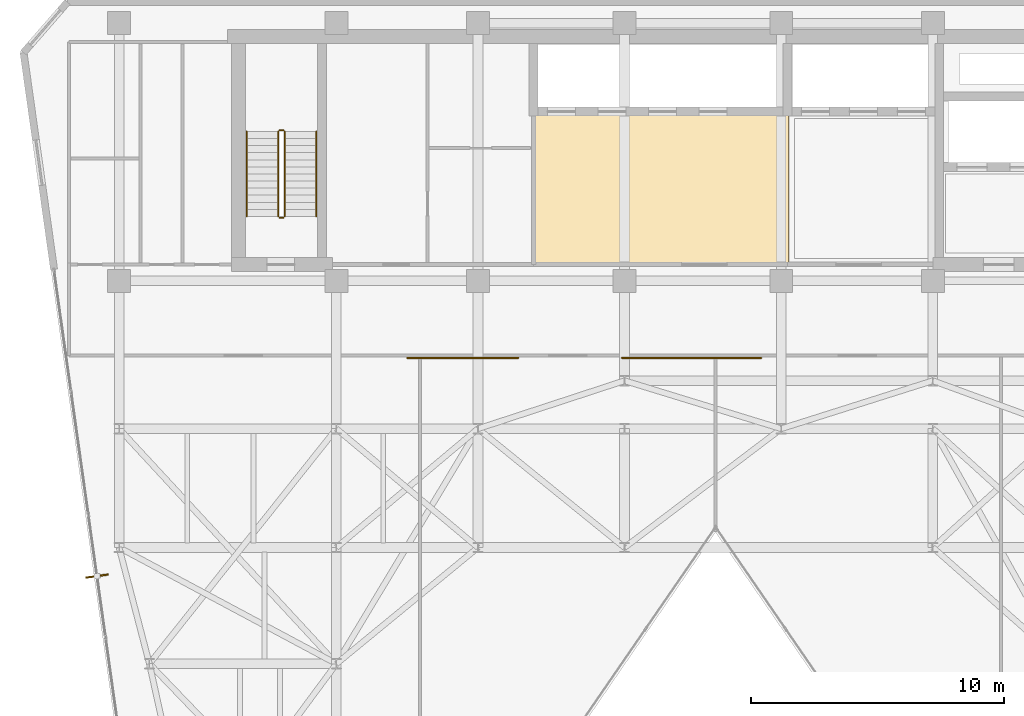
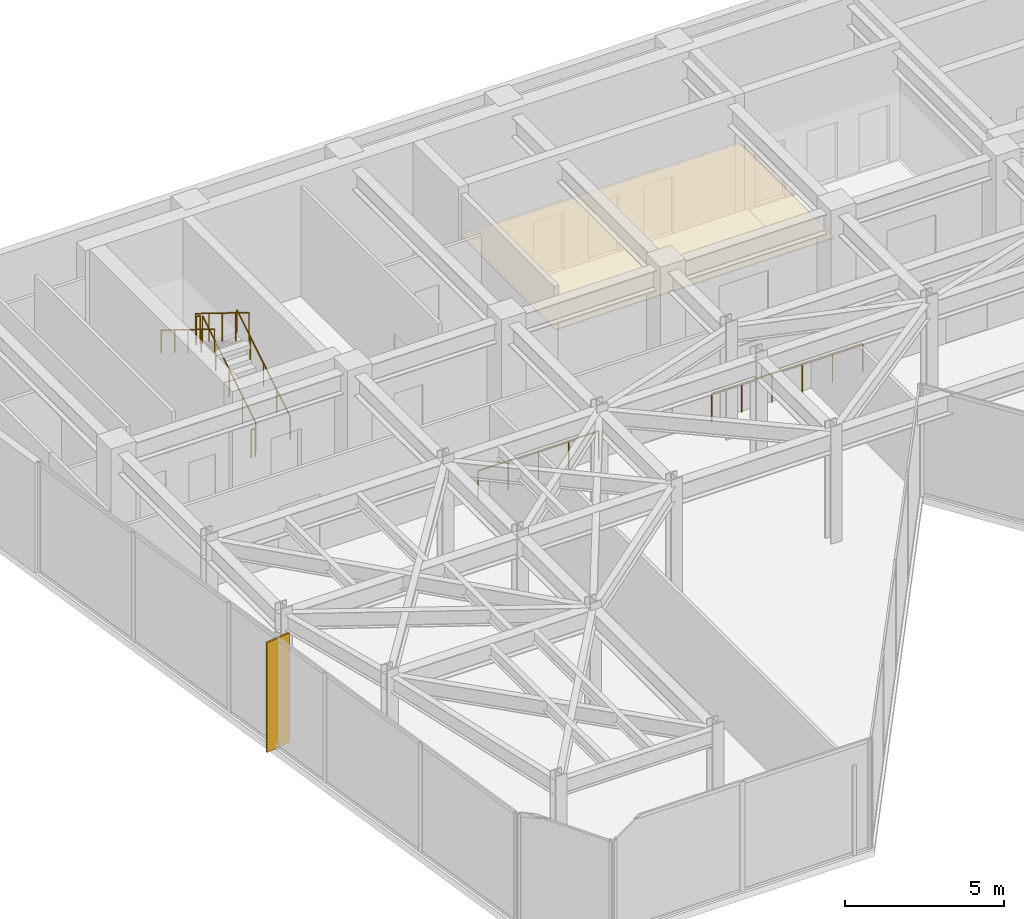
# One storey, part 24 of 25: 8 railings, 1 covering, 1 shading device.
"""IFC4 building model written with IfcOpenShell, lengths in metres."""

from ifc_helpers import new_model, si_unit, direction, frame, origin, origin_2d, place, context, subcontext, project, spatial, polyline, rectangle, circle, outline, extrude, material, layer, layer_set, type_object, element, save


model = new_model("IFC4")

# Units and contexts
model_context = context("Model", 3, precision=1e-05, world=origin(), true_north=direction((0.0, 1.0)))
body_context = subcontext(model_context, "Body", "Model", "MODEL_VIEW")
ifc_project = project(units=[si_unit("LENGTHUNIT", "METRE"), si_unit("AREAUNIT", "SQUARE_METRE"), si_unit("VOLUMEUNIT", "CUBIC_METRE"), si_unit("PLANEANGLEUNIT", "RADIAN"), si_unit("MASSUNIT", "GRAM", prefix="KILO")], contexts=[model_context])

# Site, building, storey
site_placement = place(None, origin())
site = spatial("IfcSite", under=ifc_project, at=site_placement, CompositionType="ELEMENT")
building_placement = place(site_placement, origin())
building = spatial("IfcBuilding", under=site, at=building_placement, Name="Kravanh Interchange Tower", CompositionType="ELEMENT")
storey_placement = place(building_placement, frame((0.0, 0.0, 220.5)))
storey = spatial("IfcBuildingStorey", under=building, at=storey_placement, Name="L53", CompositionType="ELEMENT", Elevation=220.5)

# Railings
ifc_material_1 = material(Name="Structural Steel S355", Category="steel")
ifc_layer_1 = layer(ifc_material_1, 0.06005859375)
ifc_layer_set_1 = layer_set([ifc_layer_1], Name="Atrium Void Glazed Balustrade Structural Steel S355 1120mm")
railing_type_1 = type_object("IfcRailingType", Name="Atrium Void Glazed Balustrade Structural Steel S355 1120mm", PredefinedType="BALUSTRADE", material=ifc_layer_set_1)
railing_1_placement = place(storey_placement, frame((30.0, 34.300048828125, 0.0)))
element("IfcRailing", 1, at=railing_1_placement, inside=storey, type_object=railing_type_1, Name="L53 Sky Lobby Gallery Balustrade 1", PredefinedType="BALUSTRADE", context=body_context, shape_type="SweptSolid", body=[
    extrude(circle(Radius=0.02392578125, at=origin_2d()), frame((0.0, 0.0, 1.09619140625), z_axis=(1.0, 0.0, 0.0), x_axis=(0.0, 1.0, 0.0)), (0.0, 0.0, 1.0), 4.39990234375),
    extrude(circle(Radius=0.02099609375, at=origin_2d()), origin(), (0.0, 0.0, 1.0), 1.072021484375),
    extrude(circle(Radius=0.02099609375, at=origin_2d()), frame((1.10009765625, 0.0, 0.0)), (0.0, 0.0, 1.0), 1.072021484375),
    extrude(circle(Radius=0.02099609375, at=origin_2d()), frame((2.199951171875, 0.0, 0.0)), (0.0, 0.0, 1.0), 1.072021484375),
    extrude(circle(Radius=0.02099609375, at=origin_2d()), frame((3.2998046875, 0.0, 0.0)), (0.0, 0.0, 1.0), 1.072021484375),
    extrude(circle(Radius=0.02099609375, at=origin_2d()), frame((4.39990234375, 0.0, 0.0)), (0.0, 0.0, 1.0), 1.072021484375),
])
railing_2_placement = place(storey_placement, frame((38.5, 34.300048828125, 0.0)))
element("IfcRailing", 2, at=railing_2_placement, inside=storey, type_object=railing_type_1, Name="L53 Sky Lobby Gallery Balustrade 2", PredefinedType="BALUSTRADE", context=body_context, shape_type="SweptSolid", body=[
    extrude(circle(Radius=0.02392578125, at=origin_2d()), frame((0.0, 0.0, 1.09619140625), z_axis=(1.0, 0.0, 0.0), x_axis=(0.0, 1.0, 0.0)), (0.0, 0.0, 1.0), 5.5),
    extrude(circle(Radius=0.02099609375, at=origin_2d()), origin(), (0.0, 0.0, 1.0), 1.072021484375),
    extrude(circle(Radius=0.02099609375, at=origin_2d()), frame((1.10009765625, 0.0, 0.0)), (0.0, 0.0, 1.0), 1.072021484375),
    extrude(circle(Radius=0.02099609375, at=origin_2d()), frame((2.199951171875, 0.0, 0.0)), (0.0, 0.0, 1.0), 1.072021484375),
    extrude(circle(Radius=0.02099609375, at=origin_2d()), frame((3.300048828125, 0.0, 0.0)), (0.0, 0.0, 1.0), 1.072021484375),
    extrude(circle(Radius=0.02099609375, at=origin_2d()), frame((4.39990234375, 0.0, 0.0)), (0.0, 0.0, 1.0), 1.072021484375),
    extrude(circle(Radius=0.02099609375, at=origin_2d()), frame((5.5, 0.0, 0.0)), (0.0, 0.0, 1.0), 1.072021484375),
])

# Covering
ifc_material_2 = material(Name="Anodised Bronze Aluminium Acoustic Baffle", Category="aluminium")
ifc_layer_2 = layer(ifc_material_2, 0.034912109375)
ifc_layer_set_2 = layer_set([ifc_layer_2], Name="Linear Bronze Baffle Feature Ceiling 35mm")
covering_type = type_object("IfcCoveringType", Name="Linear Bronze Baffle Feature Ceiling 35mm", PredefinedType="CEILING", material=ifc_layer_set_2)
covering_placement = place(storey_placement, frame((0.0, 0.0, 2.550048828125)))
element("IfcCovering", 3, at=covering_placement, inside=storey, type_object=covering_type, Name="L53 Mid-Rise Lift Lobby Suspended Ceiling", PredefinedType="CEILING", context=body_context, shape_type="SweptSolid", body=[
    extrude(outline(polyline([(45.090087890625, 37.9599609375), (34.93994140625, 37.9599609375), (34.93994140625, 43.989990234375), (45.090087890625, 43.989990234375), (45.090087890625, 37.9599609375)])), origin(), (0.0, 0.0, 1.0), 0.034912109375),
])

# Railings
ifc_material_3 = material(Name="Structural Steel S355", Category="steel")
ifc_layer_3 = layer(ifc_material_3, 0.050048828125)
ifc_layer_set_3 = layer_set([ifc_layer_3], Name="Stair Well Guardrail Structural Steel S355 1100mm")
railing_type_2 = type_object("IfcRailingType", Name="Stair Well Guardrail Structural Steel S355 1100mm", PredefinedType="GUARDRAIL", material=ifc_layer_set_3)
railing_3_placement = place(storey_placement, frame((25.14990234375, 39.89990234375, 0.173095703125)))
element("IfcRailing", 4, at=railing_3_placement, inside=storey, type_object=railing_type_2, Name="L53 ST3 stair guard 1", PredefinedType="GUARDRAIL", context=body_context, shape_type="SweptSolid", body=[
    extrude(circle(Radius=0.02392578125, at=origin_2d()), frame((0.0, 0.0, 1.076171875), z_axis=(0.0, 0.850623216509, 0.525775754039), x_axis=(-1.0, 0.0, 0.0)), (0.0, 0.0, 1.0), 3.9501953125),
    extrude(circle(Radius=0.02099609375, at=origin_2d()), origin(), (0.0, 0.0, 1.0), 1.052001953125),
    extrude(circle(Radius=0.02099609375, at=origin_2d()), frame((0.0, 0.840087890625, 0.519287109375)), (0.0, 0.0, 1.0), 1.052001953125),
    extrude(circle(Radius=0.02099609375, at=origin_2d()), frame((0.0, 1.68017578125, 1.03857421875)), (0.0, 0.0, 1.0), 1.052001953125),
    extrude(circle(Radius=0.02099609375, at=origin_2d()), frame((0.0, 2.52001953125, 1.5576171875)), (0.0, 0.0, 1.0), 1.052001953125),
    extrude(circle(Radius=0.02099609375, at=origin_2d()), frame((0.0, 3.360107421875, 2.076904296875)), (0.0, 0.0, 1.0), 1.052001953125),
])
railing_4_placement = place(storey_placement, frame((25.10009765625, 43.31005859375, 2.25)))
element("IfcRailing", 5, at=railing_4_placement, inside=storey, type_object=railing_type_2, Name="L53 ST3 stair guard 2", PredefinedType="GUARDRAIL", context=body_context, shape_type="SweptSolid", body=[
    extrude(circle(Radius=0.02392578125, at=origin_2d()), frame((0.0, 0.0, 1.076171875), z_axis=(-1.0, 0.0, 0.0), x_axis=(0.0, -1.0, 0.0)), (0.0, 0.0, 1.0), 0.150146484375),
    extrude(circle(Radius=0.02099609375, at=origin_2d()), origin(), (0.0, 0.0, 1.0), 1.052001953125),
    extrude(circle(Radius=0.02099609375, at=origin_2d()), frame((-0.150146484375, 0.0, 0.0)), (0.0, 0.0, 1.0), 1.052001953125),
])
railing_5_placement = place(storey_placement, frame((24.89990234375, 43.260009765625, 2.423095703125)))
element("IfcRailing", 6, at=railing_5_placement, inside=storey, type_object=railing_type_2, Name="L53 ST3 stair guard 3", PredefinedType="GUARDRAIL", context=body_context, shape_type="SweptSolid", body=[
    extrude(circle(Radius=0.02392578125, at=origin_2d()), frame((0.0, 0.0, 1.076171875), z_axis=(0.0, -0.850623216509, 0.525775754039), x_axis=(1.0, 0.0, 0.0)), (0.0, 0.0, 1.0), 3.9501953125),
    extrude(circle(Radius=0.02099609375, at=origin_2d()), origin(), (0.0, 0.0, 1.0), 1.052001953125),
    extrude(circle(Radius=0.02099609375, at=origin_2d()), frame((0.0, -0.840087890625, 0.519287109375)), (0.0, 0.0, 1.0), 1.052001953125),
    extrude(circle(Radius=0.02099609375, at=origin_2d()), frame((0.0, -1.68017578125, 1.03857421875)), (0.0, 0.0, 1.0), 1.052001953125),
    extrude(circle(Radius=0.02099609375, at=origin_2d()), frame((0.0, -2.52001953125, 1.5576171875)), (0.0, 0.0, 1.0), 1.052001953125),
    extrude(circle(Radius=0.02099609375, at=origin_2d()), frame((0.0, -3.360107421875, 2.076904296875)), (0.0, 0.0, 1.0), 1.052001953125),
])
railing_6_placement = place(storey_placement, frame((25.10009765625, 39.85009765625, 0.0)))
element("IfcRailing", 7, at=railing_6_placement, inside=storey, type_object=railing_type_2, Name="L53 ST3 stair guard 4", PredefinedType="GUARDRAIL", context=body_context, shape_type="SweptSolid", body=[
    extrude(circle(Radius=0.02392578125, at=origin_2d()), frame((0.0, 0.0, 1.076171875), z_axis=(-1.0, 0.0, 0.0), x_axis=(0.0, -1.0, 0.0)), (0.0, 0.0, 1.0), 0.150146484375),
    extrude(circle(Radius=0.02099609375, at=origin_2d()), origin(), (0.0, 0.0, 1.0), 1.052001953125),
    extrude(circle(Radius=0.02099609375, at=origin_2d()), frame((-0.150146484375, 0.0, 0.0)), (0.0, 0.0, 1.0), 1.052001953125),
])
ifc_material_4 = material(Name="Stainless Steel 304", Category="steel")
ifc_layer_4 = layer(ifc_material_4, 0.044921875)
ifc_layer_set_4 = layer_set([ifc_layer_4], Name="Tubular Stair Handrail Stainless 304 900mm")
railing_type_3 = type_object("IfcRailingType", Name="Tubular Stair Handrail Stainless 304 900mm", PredefinedType="HANDRAIL", material=ifc_layer_set_4)
railing_7_placement = place(storey_placement, frame((26.39990234375, 39.89990234375, 0.173095703125)))
element("IfcRailing", 8, at=railing_7_placement, inside=storey, type_object=railing_type_3, Name="L53 ST3 stair handrail 1", PredefinedType="HANDRAIL", context=body_context, shape_type="SweptSolid", body=[
    extrude(circle(Radius=0.02392578125, at=origin_2d()), frame((0.0, 0.0, 0.8759765625), z_axis=(0.0, 0.850623216509, 0.525775754039), x_axis=(-1.0, 0.0, 0.0)), (0.0, 0.0, 1.0), 3.9501953125),
    extrude(circle(Radius=0.02099609375, at=origin_2d()), origin(), (0.0, 0.0, 1.0), 0.851806640625),
    extrude(circle(Radius=0.02099609375, at=origin_2d()), frame((0.0, 0.840087890625, 0.519287109375)), (0.0, 0.0, 1.0), 0.851806640625),
    extrude(circle(Radius=0.02099609375, at=origin_2d()), frame((0.0, 1.68017578125, 1.03857421875)), (0.0, 0.0, 1.0), 0.851806640625),
    extrude(circle(Radius=0.02099609375, at=origin_2d()), frame((0.0, 2.52001953125, 1.5576171875)), (0.0, 0.0, 1.0), 0.851806640625),
    extrude(circle(Radius=0.02099609375, at=origin_2d()), frame((0.0, 3.360107421875, 2.076904296875)), (0.0, 0.0, 1.0), 0.851806640625),
])
railing_8_placement = place(storey_placement, frame((23.64990234375, 43.260009765625, 2.423095703125)))
element("IfcRailing", 9, at=railing_8_placement, inside=storey, type_object=railing_type_3, Name="L53 ST3 stair handrail 2", PredefinedType="HANDRAIL", context=body_context, shape_type="SweptSolid", body=[
    extrude(circle(Radius=0.02392578125, at=origin_2d()), frame((0.0, 0.0, 0.8759765625), z_axis=(0.0, -0.850623216509, 0.525775754039), x_axis=(1.0, 0.0, 0.0)), (0.0, 0.0, 1.0), 3.9501953125),
    extrude(circle(Radius=0.02099609375, at=origin_2d()), origin(), (0.0, 0.0, 1.0), 0.851806640625),
    extrude(circle(Radius=0.02099609375, at=origin_2d()), frame((0.0, -0.840087890625, 0.519287109375)), (0.0, 0.0, 1.0), 0.851806640625),
    extrude(circle(Radius=0.02099609375, at=origin_2d()), frame((0.0, -1.68017578125, 1.03857421875)), (0.0, 0.0, 1.0), 0.851806640625),
    extrude(circle(Radius=0.02099609375, at=origin_2d()), frame((0.0, -2.52001953125, 1.5576171875)), (0.0, 0.0, 1.0), 0.851806640625),
    extrude(circle(Radius=0.02099609375, at=origin_2d()), frame((0.0, -3.360107421875, 2.076904296875)), (0.0, 0.0, 1.0), 0.851806640625),
])

# Shading device
ifc_material_5 = material(Name="Anodised Champagne Bronze Aluminium", Category="aluminium")
ifc_layer_5 = layer(ifc_material_5, 0.06005859375)
ifc_layer_set_5 = layer_set([ifc_layer_5], Name="Vertical Bronze Solar Fin 900mm")
shading_device_type = type_object("IfcShadingDeviceType", Name="Vertical Bronze Solar Fin 900mm", PredefinedType="USERDEFINED", material=ifc_layer_set_5)
shading_device_placement = place(storey_placement, frame((17.729736328125, 25.67041015625, 0.0), z_axis=(0.0, 0.0, 1.0), x_axis=(-0.990268182791, -0.139172289451, 0.0)))
element("IfcShadingDevice", 10, at=shading_device_placement, inside=storey, type_object=shading_device_type, Name="L53 BRONZE SOLAR FIN 1", ObjectType="FIN", PredefinedType="USERDEFINED", context=body_context, shape_type="SweptSolid", body=[
    extrude(rectangle(XDim=0.89990234375, YDim=0.06005859375, at=origin_2d()), origin(), (0.0, 0.0, 1.0), 4.219970703125),
])

save(model, "model.ifc")
